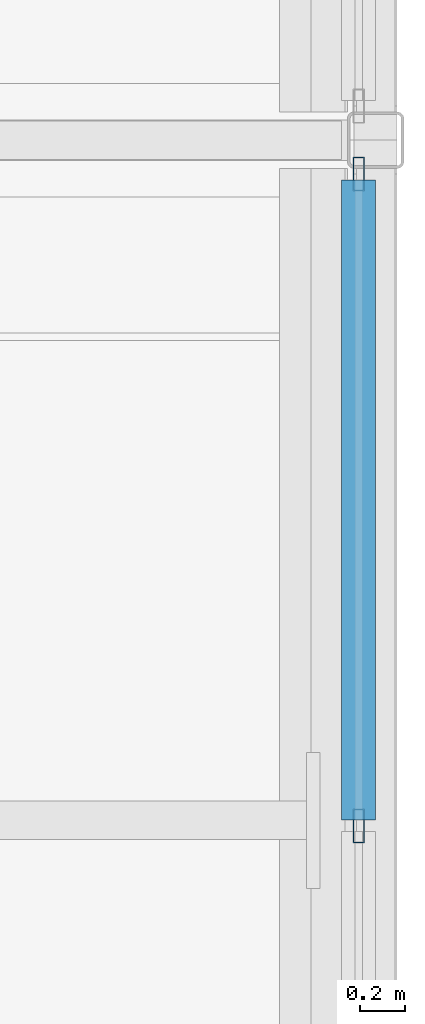
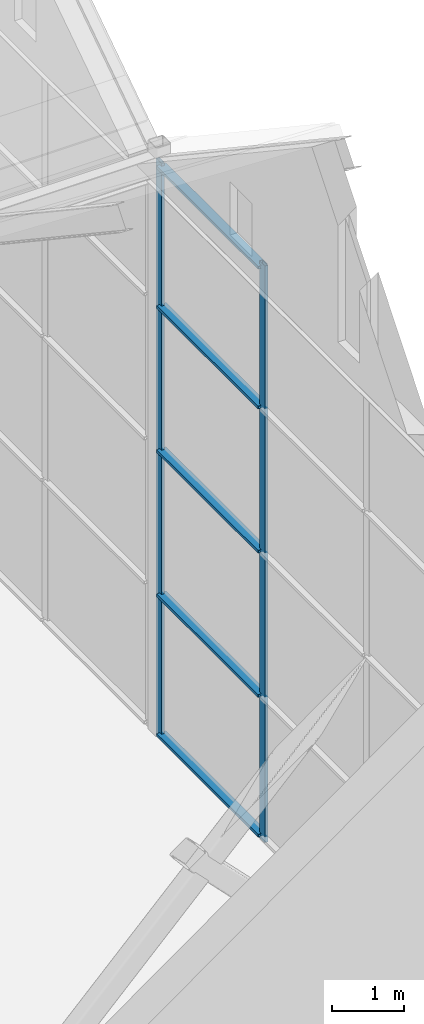
# One storey, part 73 of 111: 7 members, 1 element without a shape of its own.
"""IFC4 building model written with IfcOpenShell, lengths in metres."""

from ifc_helpers import new_model, si_unit, direction, frame, origin, origin_2d, place, context, subcontext, project, spatial, hollow_rectangle, extrude, material, layer, layer_set, material_profile, profile_set, type_object, element, aggregate, save


model = new_model("IFC4")

# Units and contexts
model_context = context("Model", 3, precision=1e-05, world=origin(), true_north=direction((0.0, 1.0)))
body_context = subcontext(model_context, "Body", "Model", "MODEL_VIEW")
ifc_project = project(units=[si_unit("LENGTHUNIT", "METRE"), si_unit("AREAUNIT", "SQUARE_METRE"), si_unit("VOLUMEUNIT", "CUBIC_METRE"), si_unit("PLANEANGLEUNIT", "RADIAN"), si_unit("MASSUNIT", "GRAM", prefix="KILO")], contexts=[model_context])

# Site, building, storey
site_placement = place(None, origin())
site = spatial("IfcSite", under=ifc_project, at=site_placement, CompositionType="ELEMENT")
building_placement = place(site_placement, origin())
building = spatial("IfcBuilding", under=site, at=building_placement, Name="Shorebreak Coast Museum", CompositionType="ELEMENT")
storey_placement = place(building_placement, frame((0.0, 0.0, 16.0)))
storey = spatial("IfcBuildingStorey", under=building, at=storey_placement, Name="L03", CompositionType="ELEMENT", Elevation=16.0)

# Curtain wall, members
ifc_material_1 = material(Name="Aluminium", Category="aluminium")
ifc_layer = layer(ifc_material_1, 0.14990234375)
ifc_layer_set = layer_set([ifc_layer], Name="Aluminium")
curtain_wall_type = type_object("IfcCurtainWallType", Name="Storefront curtain wall", PredefinedType="NOTDEFINED", material=ifc_layer_set)
curtain_wall_placement = place(storey_placement, origin())
curtain_wall = element("IfcCurtainWall", 1, at=curtain_wall_placement, inside=storey, type_object=curtain_wall_type, Name="Gallery end glazing L03 E 1", PredefinedType="NOTDEFINED")
ifc_material_2 = material(Name="Aluminium", Category="aluminium")
ifc_material_profile_1 = material_profile(ifc_material_2, hollow_rectangle(XDim=0.050048828125, YDim=0.14990234375, WallThickness=0.00390625, at=origin_2d()), Name="AL 150x50 RHS")
ifc_profile_set_1 = profile_set([ifc_material_profile_1], Name="Aluminium")
member_type_1 = type_object("IfcMemberType", Name="Storefront mullion 50 x 150", PredefinedType="MULLION", material=ifc_profile_set_1)
member_1_placement = place(storey_placement, frame((170.925048828125, 68.9755859375, 0.0), z_axis=(0.0, 0.0, 1.0), x_axis=(-1.0, 0.0, 0.0)))
member_1 = element("IfcMember", 2, at=member_1_placement, type_object=member_type_1, Name="CW9 mullion 3", PredefinedType="MULLION", context=body_context, shape_type="SweptSolid", body=[
    extrude(hollow_rectangle(XDim=0.050048828125, YDim=0.14990234375, WallThickness=0.00390625, at=origin_2d()), origin(), (0.0, 0.0, 1.0), 9.800048828125),
])
member_2_placement = place(storey_placement, frame((170.925048828125, 71.85009765625, 0.0), z_axis=(0.0, 0.0, 1.0), x_axis=(-1.0, 0.0, 0.0)))
member_2 = element("IfcMember", 3, at=member_2_placement, type_object=member_type_1, Name="CW9 mullion 4", PredefinedType="MULLION", context=body_context, shape_type="SweptSolid", body=[
    extrude(hollow_rectangle(XDim=0.050048828125, YDim=0.14990234375, WallThickness=0.00390625, at=origin_2d()), origin(), (0.0, 0.0, 1.0), 9.800048828125),
])
ifc_material_3 = material(Name="Aluminium", Category="aluminium")
ifc_material_profile_2 = material_profile(ifc_material_3, hollow_rectangle(XDim=0.14990234375, YDim=0.050048828125, WallThickness=0.00390625, at=origin_2d()), Name="AL 50x150 RHS")
ifc_profile_set_2 = profile_set([ifc_material_profile_2], Name="Aluminium")
member_type_2 = type_object("IfcMemberType", Name="Storefront transom 150 x 50", PredefinedType="USERDEFINED", material=ifc_profile_set_2)
member_3_placement = place(storey_placement, frame((170.925048828125, 69.000732421875, 0.074951171875), z_axis=(0.0, 1.0, 0.0), x_axis=(-1.0, 0.0, 0.0)))
member_3 = element("IfcMember", 4, at=member_3_placement, type_object=member_type_2, Name="CW9 transom 3.1", ObjectType="TRANSOM", PredefinedType="USERDEFINED", context=body_context, shape_type="SweptSolid", body=[
    extrude(hollow_rectangle(XDim=0.14990234375, YDim=0.050048828125, WallThickness=0.00390625, at=origin_2d()), origin(), (0.0, 0.0, 1.0), 2.82421875),
])
member_4_placement = place(storey_placement, frame((170.925048828125, 69.000732421875, 2.449951171875), z_axis=(0.0, 1.0, 0.0), x_axis=(-1.0, 0.0, 0.0)))
member_4 = element("IfcMember", 5, at=member_4_placement, type_object=member_type_2, Name="CW9 transom 3.2", ObjectType="TRANSOM", PredefinedType="USERDEFINED", context=body_context, shape_type="SweptSolid", body=[
    extrude(hollow_rectangle(XDim=0.14990234375, YDim=0.050048828125, WallThickness=0.00390625, at=origin_2d()), origin(), (0.0, 0.0, 1.0), 2.82421875),
])
member_5_placement = place(storey_placement, frame((170.925048828125, 69.000732421875, 4.89990234375), z_axis=(0.0, 1.0, 0.0), x_axis=(-1.0, 0.0, 0.0)))
member_5 = element("IfcMember", 6, at=member_5_placement, type_object=member_type_2, Name="CW9 transom 3.3", ObjectType="TRANSOM", PredefinedType="USERDEFINED", context=body_context, shape_type="SweptSolid", body=[
    extrude(hollow_rectangle(XDim=0.14990234375, YDim=0.050048828125, WallThickness=0.00390625, at=origin_2d()), origin(), (0.0, 0.0, 1.0), 2.82421875),
])
member_6_placement = place(storey_placement, frame((170.925048828125, 69.000732421875, 7.35009765625), z_axis=(0.0, 1.0, 0.0), x_axis=(-1.0, 0.0, 0.0)))
member_6 = element("IfcMember", 7, at=member_6_placement, type_object=member_type_2, Name="CW9 transom 3.4", ObjectType="TRANSOM", PredefinedType="USERDEFINED", context=body_context, shape_type="SweptSolid", body=[
    extrude(hollow_rectangle(XDim=0.14990234375, YDim=0.050048828125, WallThickness=0.00390625, at=origin_2d()), origin(), (0.0, 0.0, 1.0), 2.82421875),
])
member_7_placement = place(storey_placement, frame((170.925048828125, 69.000732421875, 9.72509765625), z_axis=(0.0, 1.0, 0.0), x_axis=(-1.0, 0.0, 0.0)))
member_7 = element("IfcMember", 8, at=member_7_placement, type_object=member_type_2, Name="CW9 transom 3.5", ObjectType="TRANSOM", PredefinedType="USERDEFINED", context=body_context, shape_type="SweptSolid", body=[
    extrude(hollow_rectangle(XDim=0.14990234375, YDim=0.050048828125, WallThickness=0.00390625, at=origin_2d()), origin(), (0.0, 0.0, 1.0), 2.82421875),
])
aggregate(curtain_wall, [member_1, member_2, member_3, member_4, member_5, member_6, member_7])

save(model, "model.ifc")
